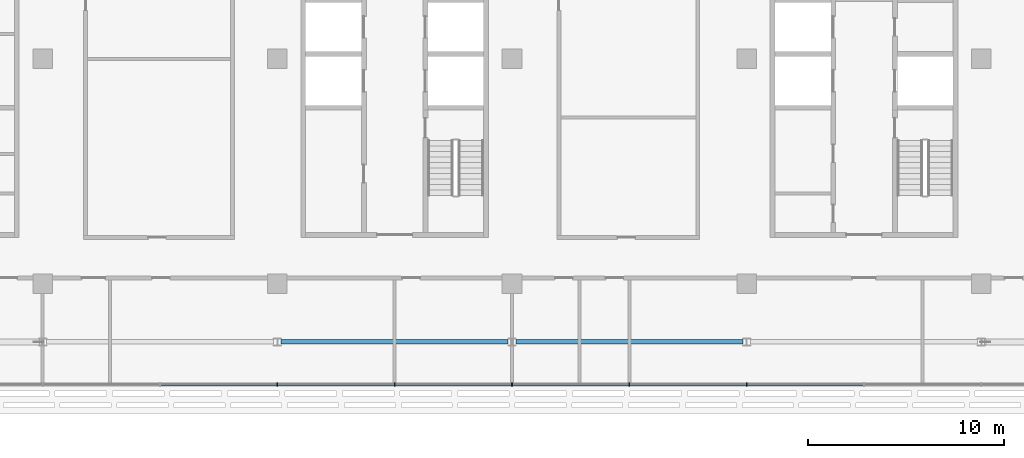
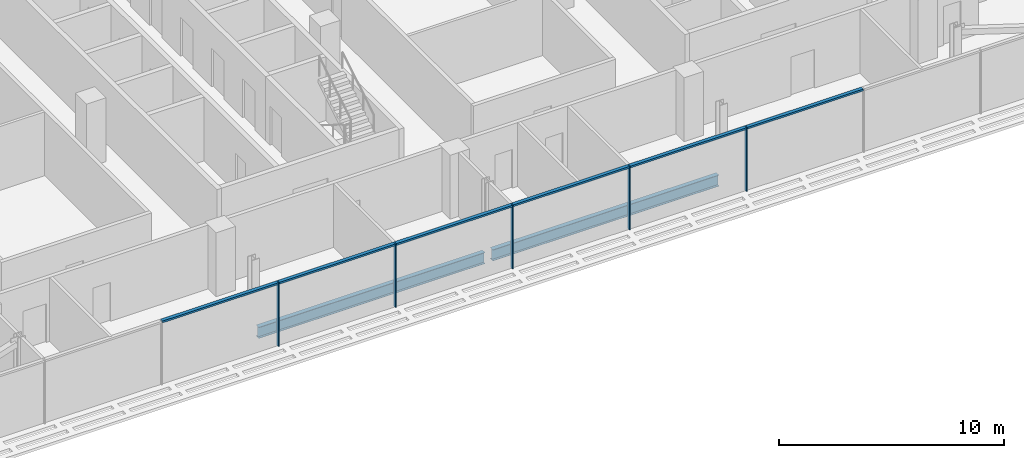
# One storey, part 8 of 32: 11 members, 2 beams, 1 element without a shape of its own.
"""IFC4 building model written with IfcOpenShell, lengths in metres."""

from ifc_helpers import new_model, si_unit, direction, frame, origin, origin_2d, place, context, subcontext, project, spatial, rectangle, i_section, extrude, material, material_profile, profile_set, type_object, element, aggregate, save


model = new_model("IFC4")

# Units and contexts
model_context = context("Model", 3, precision=1e-05, world=origin(), true_north=direction((0.0, 1.0)))
body_context = subcontext(model_context, "Body", "Model", "MODEL_VIEW")
ifc_project = project(units=[si_unit("LENGTHUNIT", "METRE"), si_unit("AREAUNIT", "SQUARE_METRE"), si_unit("VOLUMEUNIT", "CUBIC_METRE"), si_unit("PLANEANGLEUNIT", "RADIAN"), si_unit("MASSUNIT", "GRAM", prefix="KILO")], contexts=[model_context])

# Site, building, storey
site_placement = place(None, origin())
site = spatial("IfcSite", under=ifc_project, at=site_placement, CompositionType="ELEMENT")
building_placement = place(site_placement, origin())
building = spatial("IfcBuilding", under=site, at=building_placement, Name="Mahtab Terrace Research Tower", CompositionType="ELEMENT")
storey_placement = place(building_placement, frame((0.0, 0.0, 232.39990234375)))
storey = spatial("IfcBuildingStorey", under=building, at=storey_placement, Name="L56", CompositionType="ELEMENT", Elevation=232.39990234375)

# Curtain wall, members
ifc_material_1 = material(Name="Office ribbon curtain wall")
curtain_wall_type = type_object("IfcCurtainWallType", Name="Office ribbon curtain wall", PredefinedType="NOTDEFINED", material=ifc_material_1)
curtain_wall_placement = place(storey_placement, origin())
curtain_wall = element("IfcCurtainWall", 1, at=curtain_wall_placement, inside=storey, type_object=curtain_wall_type, Name="EN.L56.13.16", PredefinedType="NOTDEFINED")
ifc_material_2 = material(Name="Natural anodised aluminium", Category="aluminium")
ifc_material_profile_1 = material_profile(ifc_material_2, rectangle(XDim=0.179931640625, YDim=0.06005859375, at=origin_2d()), Name="MULLION 60x180")
ifc_profile_set_1 = profile_set([ifc_material_profile_1], Name="Natural anodised aluminium")
member_type_1 = type_object("IfcMemberType", Name="Office ribbon curtain wall mullion", PredefinedType="MULLION", material=ifc_profile_set_1)
member_1_placement = place(storey_placement, frame((-6.0, -16.638916015625, 0.0), z_axis=(0.0, 0.0, 1.0), x_axis=(0.0, 1.0, 0.0)))
member_1 = element("IfcMember", 2, at=member_1_placement, type_object=member_type_1, Name="CWO-7 mullion 6", PredefinedType="MULLION", context=body_context, shape_type="SweptSolid", body=[
    extrude(rectangle(XDim=0.179931640625, YDim=0.06005859375, at=origin_2d()), origin(), (0.0, 0.0, 1.0), 3.460205078125),
])
member_2_placement = place(storey_placement, frame((0.0, -16.638916015625, 0.0), z_axis=(0.0, 0.0, 1.0), x_axis=(0.0, 1.0, 0.0)))
member_2 = element("IfcMember", 3, at=member_2_placement, type_object=member_type_1, Name="CWO-7 mullion 7", PredefinedType="MULLION", context=body_context, shape_type="SweptSolid", body=[
    extrude(rectangle(XDim=0.179931640625, YDim=0.06005859375, at=origin_2d()), origin(), (0.0, 0.0, 1.0), 3.460205078125),
])
member_3_placement = place(storey_placement, frame((6.0, -16.638916015625, 0.0), z_axis=(0.0, 0.0, 1.0), x_axis=(0.0, 1.0, 0.0)))
member_3 = element("IfcMember", 4, at=member_3_placement, type_object=member_type_1, Name="CWO-7 mullion 8", PredefinedType="MULLION", context=body_context, shape_type="SweptSolid", body=[
    extrude(rectangle(XDim=0.179931640625, YDim=0.06005859375, at=origin_2d()), origin(), (0.0, 0.0, 1.0), 3.460205078125),
])
member_4_placement = place(storey_placement, frame((12.0, -16.638916015625, 0.0), z_axis=(0.0, 0.0, 1.0), x_axis=(0.0, 1.0, 0.0)))
member_4 = element("IfcMember", 5, at=member_4_placement, type_object=member_type_1, Name="CWO-7 mullion 9", PredefinedType="MULLION", context=body_context, shape_type="SweptSolid", body=[
    extrude(rectangle(XDim=0.179931640625, YDim=0.06005859375, at=origin_2d()), origin(), (0.0, 0.0, 1.0), 3.460205078125),
])
member_5_placement = place(storey_placement, frame((18.0, -16.638916015625, 0.0), z_axis=(0.0, 0.0, 1.0), x_axis=(0.0, 1.0, 0.0)))
member_5 = element("IfcMember", 6, at=member_5_placement, type_object=member_type_1, Name="CWO-7 mullion 10", PredefinedType="MULLION", context=body_context, shape_type="SweptSolid", body=[
    extrude(rectangle(XDim=0.179931640625, YDim=0.06005859375, at=origin_2d()), origin(), (0.0, 0.0, 1.0), 3.460205078125),
])
ifc_material_profile_2 = material_profile(ifc_material_2, rectangle(XDim=0.179931640625, YDim=0.10009765625, at=origin_2d()), Name="TRANSOM 100x180")
ifc_profile_set_2 = profile_set([ifc_material_profile_2], Name="Natural anodised aluminium")
member_type_2 = type_object("IfcMemberType", Name="Office ribbon curtain wall transom", PredefinedType="USERDEFINED", material=ifc_profile_set_2)
member_6_placement = place(storey_placement, frame((-11.969970703125, -16.638916015625, 3.41015625), z_axis=(1.0, 0.0, 0.0), x_axis=(0.0, 1.0, 0.0)))
member_6 = element("IfcMember", 7, at=member_6_placement, type_object=member_type_2, Name="CWO-7 transom 5", ObjectType="TRANSOM", PredefinedType="USERDEFINED", context=body_context, shape_type="SweptSolid", body=[
    extrude(rectangle(XDim=0.179931640625, YDim=0.10009765625, at=origin_2d()), origin(), (0.0, 0.0, 1.0), 5.93994140625),
])
member_7_placement = place(storey_placement, frame((-5.969970703125, -16.638916015625, 3.41015625), z_axis=(1.0, 0.0, 0.0), x_axis=(0.0, 1.0, 0.0)))
member_7 = element("IfcMember", 8, at=member_7_placement, type_object=member_type_2, Name="CWO-7 transom 6", ObjectType="TRANSOM", PredefinedType="USERDEFINED", context=body_context, shape_type="SweptSolid", body=[
    extrude(rectangle(XDim=0.179931640625, YDim=0.10009765625, at=origin_2d()), origin(), (0.0, 0.0, 1.0), 5.93994140625),
])
member_8_placement = place(storey_placement, frame((0.030029296875, -16.638916015625, 3.41015625), z_axis=(1.0, 0.0, 0.0), x_axis=(0.0, 1.0, 0.0)))
member_8 = element("IfcMember", 9, at=member_8_placement, type_object=member_type_2, Name="CWO-7 transom 7", ObjectType="TRANSOM", PredefinedType="USERDEFINED", context=body_context, shape_type="SweptSolid", body=[
    extrude(rectangle(XDim=0.179931640625, YDim=0.10009765625, at=origin_2d()), origin(), (0.0, 0.0, 1.0), 5.93994140625),
])
member_9_placement = place(storey_placement, frame((6.030029296875, -16.638916015625, 3.41015625), z_axis=(1.0, 0.0, 0.0), x_axis=(0.0, 1.0, 0.0)))
member_9 = element("IfcMember", 10, at=member_9_placement, type_object=member_type_2, Name="CWO-7 transom 8", ObjectType="TRANSOM", PredefinedType="USERDEFINED", context=body_context, shape_type="SweptSolid", body=[
    extrude(rectangle(XDim=0.179931640625, YDim=0.10009765625, at=origin_2d()), origin(), (0.0, 0.0, 1.0), 5.93994140625),
])
member_10_placement = place(storey_placement, frame((12.030029296875, -16.638916015625, 3.41015625), z_axis=(1.0, 0.0, 0.0), x_axis=(0.0, 1.0, 0.0)))
member_10 = element("IfcMember", 11, at=member_10_placement, type_object=member_type_2, Name="CWO-7 transom 9", ObjectType="TRANSOM", PredefinedType="USERDEFINED", context=body_context, shape_type="SweptSolid", body=[
    extrude(rectangle(XDim=0.179931640625, YDim=0.10009765625, at=origin_2d()), origin(), (0.0, 0.0, 1.0), 5.93994140625),
])
member_11_placement = place(storey_placement, frame((18.030029296875, -16.638916015625, 3.41015625), z_axis=(1.0, 0.0, 0.0), x_axis=(0.0, 1.0, 0.0)))
member_11 = element("IfcMember", 12, at=member_11_placement, type_object=member_type_2, Name="CWO-7 transom 10", ObjectType="TRANSOM", PredefinedType="USERDEFINED", context=body_context, shape_type="SweptSolid", body=[
    extrude(rectangle(XDim=0.179931640625, YDim=0.10009765625, at=origin_2d()), origin(), (0.0, 0.0, 1.0), 5.93994140625),
])
aggregate(curtain_wall, [member_1, member_2, member_3, member_4, member_5, member_6, member_7, member_8, member_9, member_10, member_11])

# Beams
ifc_material_3 = material(Name="Steel ASTM A992 Gr 50", Category="steel")
ifc_material_profile_3 = material_profile(ifc_material_3, i_section(OverallWidth=0.228271484375, OverallDepth=0.607177734375, WebThickness=0.01123046875, FlangeThickness=0.017333984375, at=origin_2d()), Name="W24X76")
ifc_profile_set_3 = profile_set([ifc_material_profile_3], Name="Steel ASTM A992 Gr 50")
beam_type = type_object("IfcBeamType", Name="W24x76 beam BS2476", PredefinedType="BEAM", material=ifc_profile_set_3)
for number, where, z_axis, x_axis, name in (
    (13, (-5.800537109375, -14.472900390625, -0.6435546875), (1.0, 0.0, 0.0), (0.0, 1.0, 0.0), "Spandrel beam L56 15"),
    (14, (6.199462890625, -14.472900390625, -0.6435546875), (1.0, 0.0, 0.0), (0.0, 1.0, 0.0), "Spandrel beam L56 16"),
):
    element("IfcBeam", number, at=place(storey_placement, frame(where, z_axis=z_axis, x_axis=x_axis)), inside=storey, type_object=beam_type, Name=name, PredefinedType="BEAM", context=body_context, shape_type="SweptSolid", body=[
        extrude(i_section(OverallWidth=0.228271484375, OverallDepth=0.607177734375, WebThickness=0.01123046875, FlangeThickness=0.017333984375, at=origin_2d()), origin(), (0.0, 0.0, 1.0), 11.60107421875),
    ])

save(model, "model.ifc")
